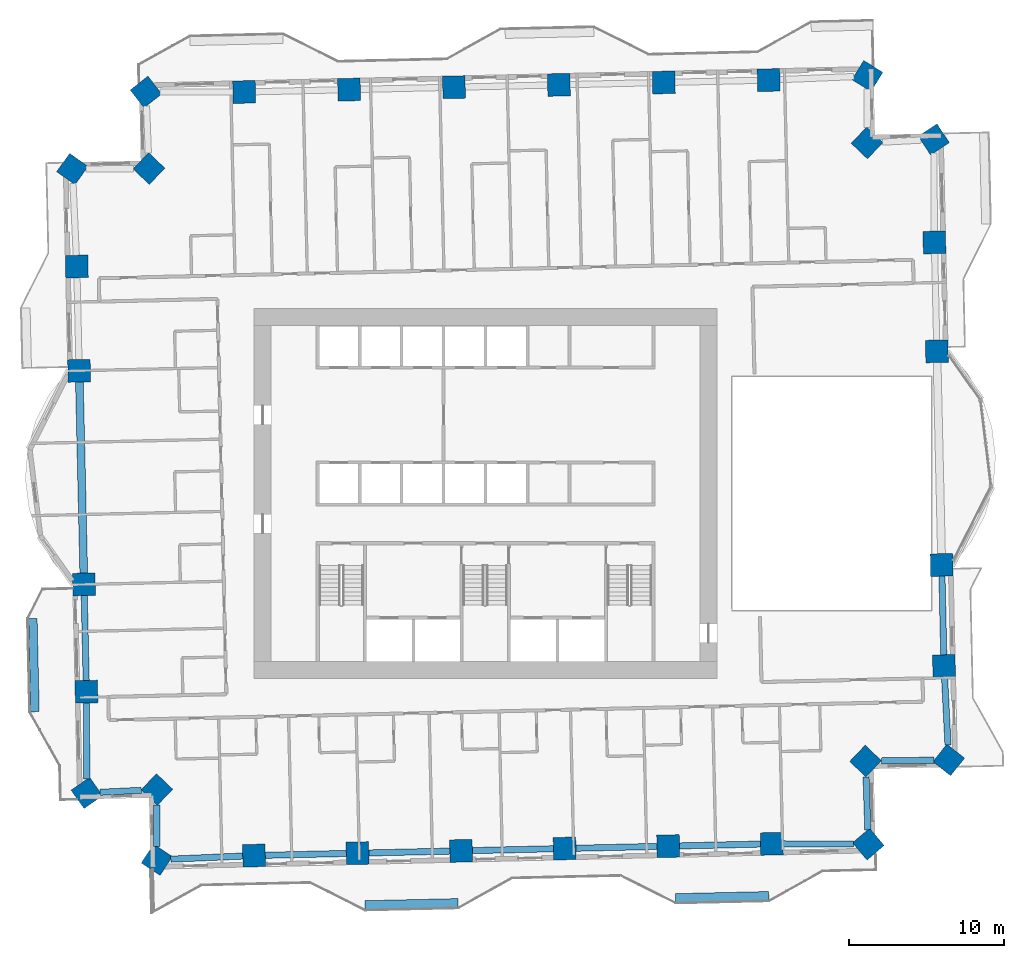
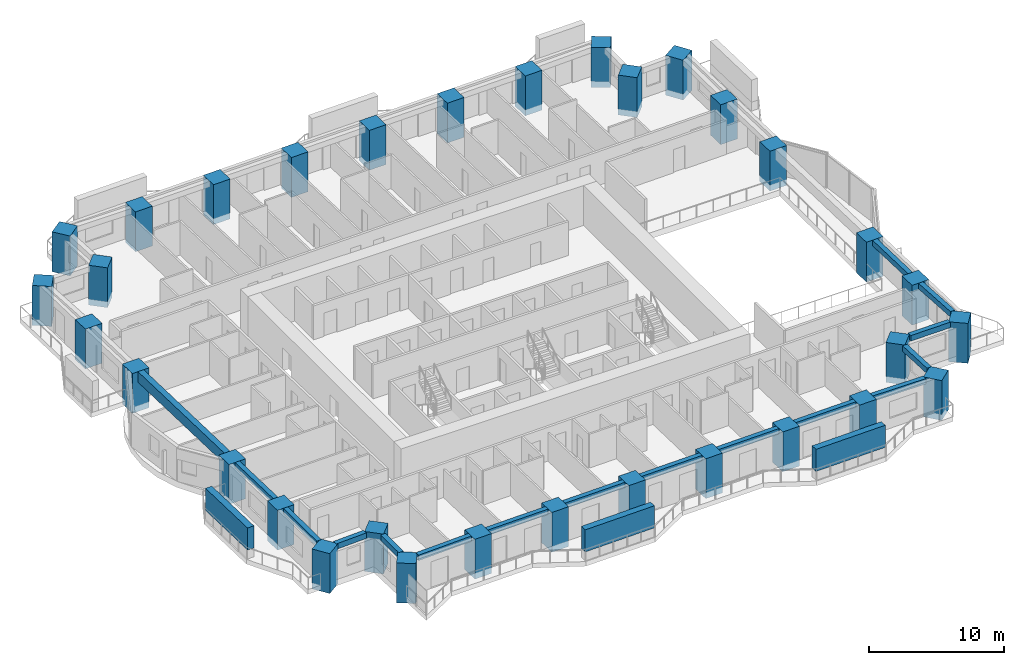
# One storey, part 1 of 17: 32 columns, 16 beams, 3 members.
"""IFC4 building model written with IfcOpenShell, lengths in metres."""

from ifc_helpers import new_model, si_unit, direction, frame, origin, origin_2d, place, context, subcontext, project, spatial, rectangle, extrude, material, material_profile, profile_set, type_object, element, save


model = new_model("IFC4")

# Units and contexts
model_context = context("Model", 3, precision=1e-05, world=origin(), true_north=direction((0.0, 1.0)))
body_context = subcontext(model_context, "Body", "Model", "MODEL_VIEW")
ifc_project = project(units=[si_unit("LENGTHUNIT", "METRE"), si_unit("AREAUNIT", "SQUARE_METRE"), si_unit("VOLUMEUNIT", "CUBIC_METRE"), si_unit("PLANEANGLEUNIT", "RADIAN"), si_unit("MASSUNIT", "GRAM", prefix="KILO")], contexts=[model_context])

# Site, building, storey
site_placement = place(None, origin())
site = spatial("IfcSite", under=ifc_project, at=site_placement, CompositionType="ELEMENT")
building_placement = place(site_placement, origin())
building = spatial("IfcBuilding", under=site, at=building_placement, Name="Mangrove Gate Tower", CompositionType="ELEMENT")
storey_placement = place(building_placement, frame((0.0, 0.0, 86.5)))
storey = spatial("IfcBuildingStorey", under=building, at=storey_placement, Name="L21", CompositionType="ELEMENT", Elevation=86.5)

# Columns
ifc_material_1 = material(Name="Concrete C70/85", Category="concrete")
ifc_material_profile_1 = material_profile(ifc_material_1, rectangle(XDim=1.449951171875, YDim=1.449951171875, at=origin_2d()))
ifc_profile_set_1 = profile_set([ifc_material_profile_1], Name="Concrete C70/85")
column_type = type_object("IfcColumnType", Name="Column RC 1450x1450 C70/85", PredefinedType="COLUMN", material=ifc_profile_set_1)
for number, where, z_axis, x_axis, name in (
    (1, (-25.84814453125, -5.849609375, -0.550048828125), (0.0, 0.0, 1.0), (0.022697227041, -0.99974238476, 0.0), "Column L21 W05"),
    (2, (-25.691162109375, -12.760498046875, -0.550048828125), (0.0, 0.0, 1.0), (0.022711552501, -0.999742059425, 0.0), "Column L21 W06"),
    (3, (-25.664794921875, -19.272705078125, -0.550048828125), (0.0, 0.0, 1.0), (0.572799342172, -0.819695622538, 0.0), "Column L21 W07"),
    (4, (-21.1591796875, -19.058837890625, -0.550048828125), (0.0, 0.0, 1.0), (0.722988982899, -0.690859559249, 0.0), "Column L21 W08"),
    (5, (-21.157958984375, -23.576171875, -0.550048828125), (0.0, 0.0, 1.0), (0.835754041756, -0.549103980762, 0.0), "Column L21 S01"),
    (6, (-14.906494140625, -23.30615234375, -0.550048828125), (0.0, 0.0, 1.0), (0.999741835415, 0.022721411066, 0.0), "Column L21 S02"),
    (7, (-8.240478515625, -23.154296875, -0.550048828125), (0.0, 0.0, 1.0), (0.999741796947, 0.022723103599, 0.0), "Column L21 S03"),
    (8, (-1.575439453125, -23.003173828125, -0.550048828125), (0.0, 0.0, 1.0), (0.999743497505, 0.022648160999, 0.0), "Column L21 S04"),
    (9, (5.090576171875, -22.852294921875, -0.550048828125), (0.0, 0.0, 1.0), (0.999743536241, 0.022646451015, 0.0), "Column L21 S05"),
    (10, (11.756591796875, -22.701171875, -0.550048828125), (0.0, 0.0, 1.0), (0.999741796947, 0.022723103599, 0.0), "Column L21 S06"),
    (11, (18.421630859375, -22.549072265625, -0.550048828125), (0.0, 0.0, 1.0), (0.999741796947, 0.022723103599, 0.0), "Column L21 S07"),
    (12, (24.635009765625, -22.570068359375, -0.550048828125), (0.0, 0.0, 1.0), (0.762709463852, 0.646741272651, 0.0), "Column L21 S08"),
    (13, (24.457763671875, -17.22412109375, -0.550048828125), (0.0, 0.0, 1.0), (0.690883635037, 0.722965976266, 0.0), "Column L21 E01"),
    (14, (29.8115234375, -17.152099609375, -0.550048828125), (0.0, 0.0, 1.0), (0.620563665396, 0.784156066858, 0.0), "Column L21 E02"),
    (15, (29.507080078125, -11.107421875, -0.550048828125), (0.0, 0.0, 1.0), (-0.02264990588, 0.999743457975, 0.0), "Column L21 E03"),
    (16, (29.360107421875, -4.597412109375, -0.550048828125), (0.0, 0.0, 1.0), (-0.022653011769, 0.999743387604, 0.0), "Column L21 E04"),
    (17, (29.048095703125, 9.149658203125, -0.550048828125), (0.0, 0.0, 1.0), (-0.022684210237, 0.999742680196, 0.0), "Column L21 E05"),
    (18, (28.88916015625, 16.16064453125, -0.550048828125), (0.0, 0.0, 1.0), (-0.022674438908, 0.99974290186, 0.0), "Column L21 E06"),
    (19, (28.849853515625, 22.787841796875, -0.550048828125), (0.0, 0.0, 1.0), (-0.550567885303, 0.834790395053, 0.0), "Column L21 E07"),
    (20, (24.55517578125, 22.56396484375, -0.550048828125), (0.0, 0.0, 1.0), (-0.722913991344, 0.690938029869, 0.0), "Column L21 E08"),
    (21, (24.57421875, 26.87060546875, -0.550048828125), (0.0, 0.0, 1.0), (-0.85008265929, 0.526649287832, 0.0), "Column L21 N01"),
    (22, (18.220458984375, 26.608154296875, -0.550048828125), (0.0, 0.0, 1.0), (-0.999741644236, -0.022729821381, 0.0), "Column L21 N02"),
    (23, (11.469482421875, 26.455078125, -0.550048828125), (0.0, 0.0, 1.0), (-0.999743285984, -0.022657496114, 0.0), "Column L21 N03"),
    (24, (4.718505859375, 26.30224609375, -0.550048828125), (0.0, 0.0, 1.0), (-0.999743323945, -0.022655821028, 0.0), "Column L21 N04"),
    (25, (-2.033447265625, 26.149169921875, -0.550048828125), (0.0, 0.0, 1.0), (-0.999741644236, -0.022729821381, 0.0), "Column L21 N05"),
    (26, (-8.784423828125, 25.9951171875, -0.550048828125), (0.0, 0.0, 1.0), (-0.999741644236, -0.022729821381, 0.0), "Column L21 N06"),
    (27, (-15.53662109375, 25.84228515625, -0.550048828125), (0.0, 0.0, 1.0), (-0.999743323945, -0.022655821028, 0.0), "Column L21 N07"),
    (28, (-21.859375, 25.84130859375, -0.550048828125), (0.0, 0.0, 1.0), (-0.789979802002, -0.613132866864, 0.0), "Column L21 N08"),
    (29, (-21.666748046875, 20.9140625, -0.550048828125), (0.0, 0.0, 1.0), (-0.690872556232, -0.722976563275, 0.0), "Column L21 W01"),
    (30, (-26.597900390625, 20.88232421875, -0.550048828125), (0.0, 0.0, 1.0), (-0.5789981691, -0.815328841744, 0.0), "Column L21 W02"),
    (31, (-26.312255859375, 14.607421875, -0.550048828125), (0.0, 0.0, 1.0), (0.022645264495, -0.999743563118, 0.0), "Column L21 W03"),
    (32, (-26.16015625, 7.8974609375, -0.550048828125), (0.0, 0.0, 1.0), (0.022675887158, -0.999742869013, 0.0), "Column L21 W04"),
):
    element("IfcColumn", number, at=place(storey_placement, frame(where, z_axis=z_axis, x_axis=x_axis)), inside=storey, type_object=column_type, Name=name, PredefinedType="COLUMN", context=body_context, shape_type="SweptSolid", body=[
        extrude(rectangle(XDim=1.449951171875, YDim=1.449951171875, at=origin_2d()), origin(), (0.0, 0.0, 1.0), 3.60009765625),
    ])

# Members
ifc_material_2 = material(Name="Planting on aluminium trellis", Category="aluminium")
ifc_material_profile_2 = material_profile(ifc_material_2, rectangle(XDim=0.550048828125, YDim=2.0, at=origin_2d()))
ifc_profile_set_2 = profile_set([ifc_material_profile_2], Name="Planting on aluminium trellis")
member_type = type_object("IfcMemberType", Name="Balcony greenery screen 550x2000", PredefinedType="USERDEFINED", material=ifc_profile_set_2)
for number, where, z_axis, x_axis, name in (
    (33, (-29.0029296875, -14.049072265625, 1.800048828125), (-0.022662255828, 0.999743178102, 0.0), (-0.999743178102, -0.022662255828, 0.0), "GREEN SCREEN L21 W1.1"),
    (34, (-7.763916015625, -26.485107421875, 1.800048828125), (0.999743178102, 0.022662255828, 0.0), (-0.022662255828, 0.999743178102, 0.0), "GREEN SCREEN L21 S0.1"),
):
    element("IfcMember", number, at=place(storey_placement, frame(where, z_axis=z_axis, x_axis=x_axis)), inside=storey, type_object=member_type, Name=name, ObjectType="PLANTING", PredefinedType="USERDEFINED", context=body_context, shape_type="SweptSolid", body=[
        extrude(rectangle(XDim=0.550048828125, YDim=2.0, at=origin_2d()), origin(), (0.0, 0.0, 1.0), 6.00048828125),
    ])
member_placement = place(storey_placement, frame((12.23095703125, -26.031005859375, 1.800048828125), z_axis=(0.999743094499, 0.022665943652, 0.0), x_axis=(-0.022665943652, 0.999743094499, 0.0)))
element("IfcMember", 35, at=member_placement, inside=storey, type_object=member_type, Name="GREEN SCREEN L21 S1.1", ObjectType="PLANTING", PredefinedType="USERDEFINED", context=body_context, shape_type="SweptSolid", body=[
    extrude(rectangle(XDim=0.550048828125, YDim=2.0, at=origin_2d()), origin(), (0.0, 0.0, 1.0), 5.99951171875),
])

# Beams
ifc_material_3 = material(Name="Concrete C50/60", Category="concrete")
ifc_material_profile_3 = material_profile(ifc_material_3, rectangle(XDim=0.39990234375, YDim=0.5, at=origin_2d()))
ifc_profile_set_3 = profile_set([ifc_material_profile_3], Name="Concrete C50/60")
beam_type_1 = type_object("IfcBeamType", Name="Edge beam RC 400x500 C50/60", PredefinedType="BEAM", material=ifc_profile_set_3)
beam_1_placement = place(storey_placement, frame((-25.831787109375, -6.574462890625, 2.800048828125), z_axis=(0.022704146437, -0.999742227644, 0.0), x_axis=(0.999742227644, 0.022704146437, 0.0)))
element("IfcBeam", 36, at=beam_1_placement, inside=storey, type_object=beam_type_1, Name="Edge beam L21 00", PredefinedType="BEAM", context=body_context, shape_type="SweptSolid", body=[
    extrude(rectangle(XDim=0.39990234375, YDim=0.5, at=origin_2d()), origin(), (0.0, 0.0, 1.0), 5.462646484375),
])
beam_2_placement = place(storey_placement, frame((-25.688232421875, -13.485595703125, 2.800048828125), z_axis=(0.00408119237, -0.9999916719, 0.0), x_axis=(0.9999916719, 0.00408119237, 0.0)))
element("IfcBeam", 37, at=beam_2_placement, inside=storey, type_object=beam_type_1, Name="Edge beam L21 01", PredefinedType="BEAM", context=body_context, shape_type="SweptSolid", body=[
    extrude(rectangle(XDim=0.39990234375, YDim=0.5, at=origin_2d()), origin(), (0.0, 0.0, 1.0), 4.9052734375),
])
beam_3_placement = place(storey_placement, frame((-24.80859375, -19.232177734375, 2.800048828125), z_axis=(0.998871674822, 0.047490812145, 0.0), x_axis=(-0.047490812145, 0.998871674822, 0.0)))
element("IfcBeam", 38, at=beam_3_placement, inside=storey, type_object=beam_type_1, Name="Edge beam L21 02", PredefinedType="BEAM", context=body_context, shape_type="SweptSolid", body=[
    extrude(rectangle(XDim=0.39990234375, YDim=0.5, at=origin_2d()), origin(), (0.0, 0.0, 1.0), 2.652587890625),
])
beam_4_placement = place(storey_placement, frame((-21.158935546875, -20.061767578125, 2.800048828125), z_axis=(0.000276727229, -0.999999961711, 0.0), x_axis=(0.999999961711, 0.000276727229, 0.0)))
element("IfcBeam", 39, at=beam_4_placement, inside=storey, type_object=beam_type_1, Name="Edge beam L21 03", PredefinedType="BEAM", context=body_context, shape_type="SweptSolid", body=[
    extrude(rectangle(XDim=0.39990234375, YDim=0.5, at=origin_2d()), origin(), (0.0, 0.0, 1.0), 2.646728515625),
])
beam_5_placement = place(storey_placement, frame((-20.26513671875, -23.53759765625, 2.800048828125), z_axis=(0.999068234877, 0.043158568781, 0.0), x_axis=(-0.043158568781, 0.999068234877, 0.0)))
element("IfcBeam", 40, at=beam_5_placement, inside=storey, type_object=beam_type_1, Name="Edge beam L21 04", PredefinedType="BEAM", context=body_context, shape_type="SweptSolid", body=[
    extrude(rectangle(XDim=0.39990234375, YDim=0.5, at=origin_2d()), origin(), (0.0, 0.0, 1.0), 4.638671875),
])
beam_6_placement = place(storey_placement, frame((-14.181640625, -23.28955078125, 2.800048828125), z_axis=(0.999740335669, 0.02278730429, 0.0), x_axis=(-0.02278730429, 0.999740335669, 0.0)))
element("IfcBeam", 41, at=beam_6_placement, inside=storey, type_object=beam_type_1, Name="Edge beam L21 05", PredefinedType="BEAM", context=body_context, shape_type="SweptSolid", body=[
    extrude(rectangle(XDim=0.39990234375, YDim=0.5, at=origin_2d()), origin(), (0.0, 0.0, 1.0), 5.2177734375),
])
beam_7_placement = place(storey_placement, frame((-7.515625, -23.1376953125, 2.800048828125), z_axis=(0.999743427717, 0.022651241411, 0.0), x_axis=(-0.022651241411, 0.999743427717, 0.0)))
element("IfcBeam", 42, at=beam_7_placement, inside=storey, type_object=beam_type_1, Name="Edge beam L21 06", PredefinedType="BEAM", context=body_context, shape_type="SweptSolid", body=[
    extrude(rectangle(XDim=0.39990234375, YDim=0.5, at=origin_2d()), origin(), (0.0, 0.0, 1.0), 5.216552734375),
])
for number, where, z_axis, x_axis, name in (
    (43, (-0.8505859375, -22.98681640625, 2.800048828125), (0.999743523738, 0.022647002972, 0.0), (-0.022647002972, 0.999743523738, 0.0), "Edge beam L21 07"),
    (44, (5.8154296875, -22.835693359375, 2.800048828125), (0.999743523738, 0.022647002972, 0.0), (-0.022647002972, 0.999743523738, 0.0), "Edge beam L21 08"),
):
    element("IfcBeam", number, at=place(storey_placement, frame(where, z_axis=z_axis, x_axis=x_axis)), inside=storey, type_object=beam_type_1, Name=name, PredefinedType="BEAM", context=body_context, shape_type="SweptSolid", body=[
        extrude(rectangle(XDim=0.39990234375, YDim=0.5, at=origin_2d()), origin(), (0.0, 0.0, 1.0), 5.217529296875),
    ])
beam_8_placement = place(storey_placement, frame((12.4814453125, -22.6845703125, 2.800048828125), z_axis=(0.999740238454, 0.02279156896, 0.0), x_axis=(-0.02279156896, 0.999740238454, 0.0)))
element("IfcBeam", 45, at=beam_8_placement, inside=storey, type_object=beam_type_1, Name="Edge beam L21 09", PredefinedType="BEAM", context=body_context, shape_type="SweptSolid", body=[
    extrude(rectangle(XDim=0.39990234375, YDim=0.5, at=origin_2d()), origin(), (0.0, 0.0, 1.0), 5.216796875),
])
beam_9_placement = place(storey_placement, frame((19.146728515625, -22.551513671875, 2.800048828125), z_axis=(0.999994249006, -0.003391453364, 0.0), x_axis=(0.003391453364, 0.999994249006, 0.0)))
element("IfcBeam", 46, at=beam_9_placement, inside=storey, type_object=beam_type_1, Name="Edge beam L21 10", PredefinedType="BEAM", context=body_context, shape_type="SweptSolid", body=[
    extrude(rectangle(XDim=0.39990234375, YDim=0.5, at=origin_2d()), origin(), (0.0, 0.0, 1.0), 4.53515625),
])
beam_10_placement = place(storey_placement, frame((24.6044921875, -21.6455078125, 2.800048828125), z_axis=(-0.03315745307, 0.99945014048, 0.0), x_axis=(-0.99945014048, -0.03315745307, 0.0)))
element("IfcBeam", 47, at=beam_10_placement, inside=storey, type_object=beam_type_1, Name="Edge beam L21 11", PredefinedType="BEAM", context=body_context, shape_type="SweptSolid", body=[
    extrude(rectangle(XDim=0.39990234375, YDim=0.5, at=origin_2d()), origin(), (0.0, 0.0, 1.0), 3.4091796875),
])
beam_11_placement = place(storey_placement, frame((25.4736328125, -17.21044921875, 2.800048828125), z_axis=(0.999909071314, 0.01348514386, 0.0), x_axis=(-0.01348514386, 0.999909071314, 0.0)))
element("IfcBeam", 48, at=beam_11_placement, inside=storey, type_object=beam_type_1, Name="Edge beam L21 12", PredefinedType="BEAM", context=body_context, shape_type="SweptSolid", body=[
    extrude(rectangle(XDim=0.39990234375, YDim=0.5, at=origin_2d()), origin(), (0.0, 0.0, 1.0), 3.403564453125),
])
beam_12_placement = place(storey_placement, frame((29.762939453125, -16.189208984375, 2.800048828125), z_axis=(-0.0502501973, 0.998736660823, 0.0), x_axis=(-0.998736660823, -0.0502501973, 0.0)))
element("IfcBeam", 49, at=beam_12_placement, inside=storey, type_object=beam_type_1, Name="Edge beam L21 13", PredefinedType="BEAM", context=body_context, shape_type="SweptSolid", body=[
    extrude(rectangle(XDim=0.39990234375, YDim=0.5, at=origin_2d()), origin(), (0.0, 0.0, 1.0), 4.363037109375),
])
beam_13_placement = place(storey_placement, frame((29.49072265625, -10.382568359375, 2.800048828125), z_axis=(-0.022573490963, 0.999745186288, 0.0), x_axis=(-0.999745186288, -0.022573490963, 0.0)))
element("IfcBeam", 50, at=beam_13_placement, inside=storey, type_object=beam_type_1, Name="Edge beam L21 14", PredefinedType="BEAM", context=body_context, shape_type="SweptSolid", body=[
    extrude(rectangle(XDim=0.39990234375, YDim=0.5, at=origin_2d()), origin(), (0.0, 0.0, 1.0), 5.0615234375),
])
ifc_material_4 = material(Name="Concrete C50/60", Category="concrete")
ifc_material_profile_4 = material_profile(ifc_material_4, rectangle(XDim=0.5, YDim=0.949951171875, at=origin_2d()))
ifc_profile_set_4 = profile_set([ifc_material_profile_4], Name="Concrete C50/60")
beam_type_2 = type_object("IfcBeamType", Name="Edge beam RC 500x950 C50/60", PredefinedType="BEAM", material=ifc_profile_set_4)
beam_14_placement = place(storey_placement, frame((-26.143798828125, 7.172607421875, 2.574951171875), z_axis=(0.022686238453, -0.999742634174, 0.0), x_axis=(0.999742634174, 0.022686238453, 0.0)))
element("IfcBeam", 51, at=beam_14_placement, inside=storey, type_object=beam_type_2, Name="Edge beam L21 31", PredefinedType="BEAM", context=body_context, shape_type="SweptSolid", body=[
    extrude(rectangle(XDim=0.5, YDim=0.949951171875, at=origin_2d()), origin(), (0.0, 0.0, 1.0), 12.300537109375),
])

save(model, "model.ifc")
